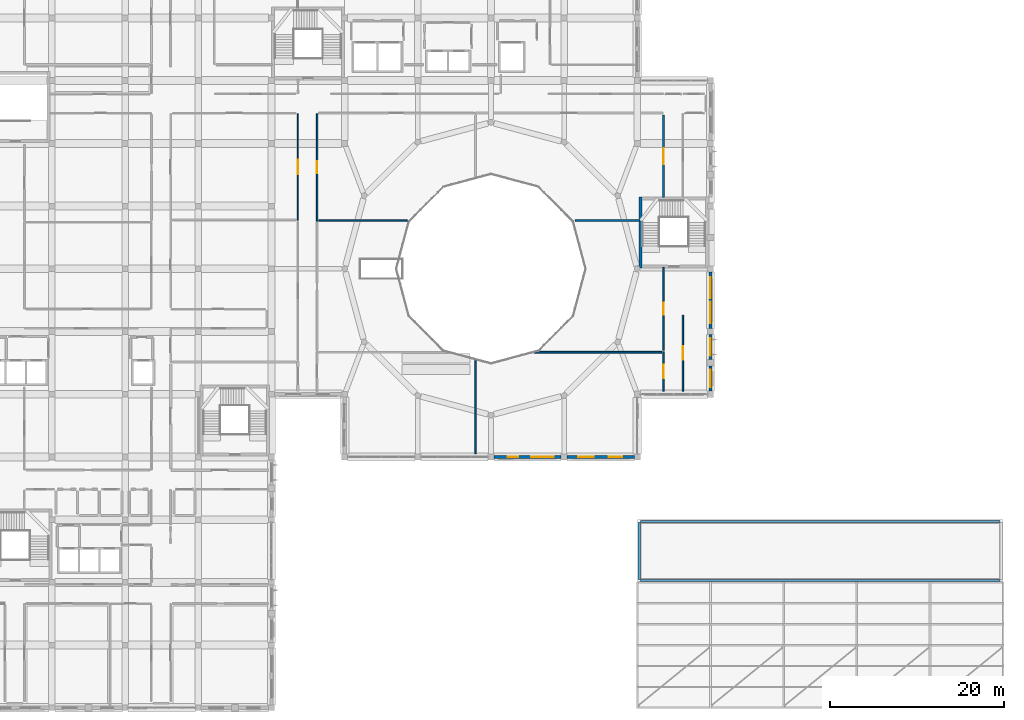
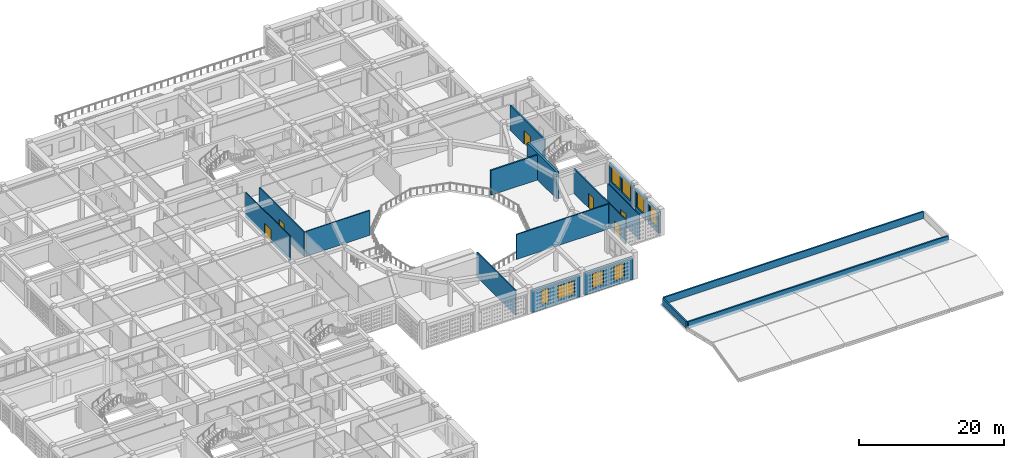
# One storey, part 45 of 79: 19 walls, 8 windows, 6 doors, 14 openings.
"""IFC4 building model written with IfcOpenShell, lengths in metres."""

from ifc_helpers import new_model, si_unit, derived_unit, direction, frame, frame_2d, origin, place, context, subcontext, project, spatial, rectangle, extrude, material, layer, layer_set, type_object, element, fill, save


model = new_model("IFC4")

# Units and contexts
model_context = context("Model", 3, precision=1e-05, world=origin(), true_north=direction((0.0, 1.0)))
body_context = subcontext(model_context, "Body", "Model", "MODEL_VIEW")
ifc_project = project(units=[si_unit("LENGTHUNIT", "METRE"), si_unit("AREAUNIT", "SQUARE_METRE"), si_unit("VOLUMEUNIT", "CUBIC_METRE"), si_unit("PLANEANGLEUNIT", "RADIAN"), si_unit("MASSUNIT", "GRAM", prefix="KILO"), derived_unit("THERMALTRANSMITTANCEUNIT", [(si_unit("POWERUNIT", "WATT"), 1), (si_unit("LENGTHUNIT", "METRE"), -2), (si_unit("THERMODYNAMICTEMPERATUREUNIT", "KELVIN"), -1)])], contexts=[model_context])

# Site, building, storey
site_placement = place(None, origin())
site = spatial("IfcSite", under=ifc_project, at=site_placement, CompositionType="ELEMENT")
building_placement = place(site_placement, origin())
building = spatial("IfcBuilding", under=site, at=building_placement, Name="Veybourne Emporium", CompositionType="ELEMENT")
storey_placement = place(building_placement, frame((0.0, 0.0, 18.89990234375)))
storey = spatial("IfcBuildingStorey", under=building, at=storey_placement, Name="L04", CompositionType="ELEMENT", Elevation=18.89990234375)

# Wall, openings, windows
ifc_material_1 = material(Name="Portland Limestone Ashlar", Category="masonry")
ifc_layer_1 = layer(ifc_material_1, 0.3798828125)
ifc_layer_set_1 = layer_set([ifc_layer_1], Name="Portland Limestone Ashlar")
wall_type_1 = type_object("IfcWallType", Name="ExtWall_EW-03", PredefinedType="SOLIDWALL", material=ifc_layer_set_1)
wall_1_placement = place(storey_placement, frame((83.64990234375, 28.800048828125, 0.0), z_axis=(0.0, 0.0, 1.0), x_axis=(-1.0, 0.0, 0.0)))
wall_1 = element("IfcWall", 1, at=wall_1_placement, inside=storey, type_object=wall_type_1, Name="L04 Portland stone external wall 038", PredefinedType="SOLIDWALL", context=body_context, shape_type="SweptSolid", body=[
    extrude(rectangle(XDim=7.699951171875, YDim=0.3798828125, at=frame_2d((3.85009765625, 0.0))), origin(), (0.0, 0.0, 1.0), 3.630126953125),
])
opening_1_placement = place(wall_1_placement, frame((0.85595703125, 0.0, 0.75)))
opening_1 = element("IfcOpeningElement", 2, at=opening_1_placement, cuts=wall_1, Name="Opening W-24", PredefinedType="OPENING", context=body_context, shape_type="SweptSolid", body=[
    extrude(rectangle(XDim=2.60009765625, YDim=2.260009765625, at=frame_2d((1.300048828125, 1.1298828125))), frame((0.0, 0.2099609375, 0.0), z_axis=(0.0, -1.0, 0.0), x_axis=(1.0, 0.0, 0.0)), (0.0, 0.0, 1.0), 0.419921875),
])
opening_2_placement = place(wall_1_placement, frame((4.944091796875, 0.0, 0.75)))
opening_2 = element("IfcOpeningElement", 3, at=opening_2_placement, cuts=wall_1, Name="Opening W-25", PredefinedType="OPENING", context=body_context, shape_type="SweptSolid", body=[
    extrude(rectangle(XDim=1.199951171875, YDim=2.43994140625, at=frame_2d((0.60009765625, 1.219970703125))), frame((0.0, 0.2099609375, 0.0), z_axis=(0.0, -1.0, 0.0), x_axis=(1.0, 0.0, 0.0)), (0.0, 0.0, 1.0), 0.419921875),
])
ifc_material_2 = material(Name="Low-E Triple Glazing", Category="glass")
window_type_1 = type_object("IfcWindowType", Name="Win_W-24", PartitioningType="TRIPLE_PANEL_VERTICAL", PredefinedType="WINDOW", material=ifc_material_2)
window_1_placement = place(opening_1_placement, origin())
window_1 = element("IfcWindow", 4, at=window_1_placement, inside=storey, type_object=window_type_1, Name="L04 tripartite bronze casement window W-24 (38.1)", OverallHeight=2.260009765625, OverallWidth=2.60009765625, PartitioningType="TRIPLE_PANEL_VERTICAL", PredefinedType="WINDOW", context=body_context, shape_type="SweptSolid", body=[
    extrude(rectangle(XDim=2.60009765625, YDim=2.260009765625, at=frame_2d((1.300048828125, 1.1298828125))), frame((0.0, 0.030029296875, 0.0), z_axis=(0.0, -1.0, 0.0), x_axis=(1.0, 0.0, 0.0)), (0.0, 0.0, 1.0), 0.06005859375),
])
fill(opening_1, window_1)
window_type_2 = type_object("IfcWindowType", Name="Win_W-25", PartitioningType="SINGLE_PANEL", PredefinedType="WINDOW", material=ifc_material_2)
window_2_placement = place(opening_2_placement, origin())
window_2 = element("IfcWindow", 5, at=window_2_placement, inside=storey, type_object=window_type_2, Name="L04 tripartite bronze casement window W-25 (38.2)", OverallHeight=2.43994140625, OverallWidth=1.199951171875, PartitioningType="SINGLE_PANEL", PredefinedType="WINDOW", context=body_context, shape_type="SweptSolid", body=[
    extrude(rectangle(XDim=1.199951171875, YDim=2.43994140625, at=frame_2d((0.60009765625, 1.219970703125))), frame((0.0, 0.030029296875, 0.0), z_axis=(0.0, -1.0, 0.0), x_axis=(1.0, 0.0, 0.0)), (0.0, 0.0, 1.0), 0.06005859375),
])
fill(opening_2, window_2)

wall_2_placement = place(storey_placement, frame((92.050048828125, 28.800048828125, 0.0), z_axis=(0.0, 0.0, 1.0), x_axis=(-1.0, 0.0, 0.0)))
wall_2 = element("IfcWall", 6, at=wall_2_placement, inside=storey, type_object=wall_type_1, Name="L04 Portland stone external wall 041", PredefinedType="SOLIDWALL", context=body_context, shape_type="SweptSolid", body=[
    extrude(rectangle(XDim=7.699951171875, YDim=0.3798828125, at=frame_2d((3.85009765625, 0.0))), origin(), (0.0, 0.0, 1.0), 3.630126953125),
])
opening_3_placement = place(wall_2_placement, frame((1.35595703125, 0.0, 0.75)))
opening_3 = element("IfcOpeningElement", 7, at=opening_3_placement, cuts=wall_2, Name="Opening W-27", PredefinedType="OPENING", context=body_context, shape_type="SweptSolid", body=[
    extrude(rectangle(XDim=1.60009765625, YDim=2.43994140625, at=frame_2d((0.800048828125, 1.219970703125))), frame((0.0, 0.2099609375, 0.0), z_axis=(0.0, -1.0, 0.0), x_axis=(1.0, 0.0, 0.0)), (0.0, 0.0, 1.0), 0.419921875),
])
opening_4_placement = place(wall_2_placement, frame((4.64404296875, 0.0, 0.75)))
opening_4 = element("IfcOpeningElement", 8, at=opening_4_placement, cuts=wall_2, Name="Opening W-28", PredefinedType="OPENING", context=body_context, shape_type="SweptSolid", body=[
    extrude(rectangle(XDim=1.800048828125, YDim=2.43994140625, at=frame_2d((0.89990234375, 1.219970703125))), frame((0.0, 0.2099609375, 0.0), z_axis=(0.0, -1.0, 0.0), x_axis=(1.0, 0.0, 0.0)), (0.0, 0.0, 1.0), 0.419921875),
])
window_type_3 = type_object("IfcWindowType", Name="Win_W-27", PartitioningType="DOUBLE_PANEL_VERTICAL", PredefinedType="WINDOW", material=ifc_material_2)
window_3_placement = place(opening_3_placement, origin())
window_3 = element("IfcWindow", 9, at=window_3_placement, inside=storey, type_object=window_type_3, Name="L04 tripartite bronze casement window W-27 (41.1)", OverallHeight=2.43994140625, OverallWidth=1.60009765625, PartitioningType="DOUBLE_PANEL_VERTICAL", PredefinedType="WINDOW", context=body_context, shape_type="SweptSolid", body=[
    extrude(rectangle(XDim=1.60009765625, YDim=2.43994140625, at=frame_2d((0.800048828125, 1.219970703125))), frame((0.0, 0.030029296875, 0.0), z_axis=(0.0, -1.0, 0.0), x_axis=(1.0, 0.0, 0.0)), (0.0, 0.0, 1.0), 0.06005859375),
])
fill(opening_3, window_3)
window_type_4 = type_object("IfcWindowType", Name="Win_W-28", PartitioningType="DOUBLE_PANEL_VERTICAL", PredefinedType="WINDOW", material=ifc_material_2)
window_4_placement = place(opening_4_placement, origin())
window_4 = element("IfcWindow", 10, at=window_4_placement, inside=storey, type_object=window_type_4, Name="L04 tripartite bronze casement window W-28 (41.2)", OverallHeight=2.43994140625, OverallWidth=1.800048828125, PartitioningType="DOUBLE_PANEL_VERTICAL", PredefinedType="WINDOW", context=body_context, shape_type="SweptSolid", body=[
    extrude(rectangle(XDim=1.800048828125, YDim=2.43994140625, at=frame_2d((0.89990234375, 1.219970703125))), frame((0.0, 0.030029296875, 0.0), z_axis=(0.0, -1.0, 0.0), x_axis=(1.0, 0.0, 0.0)), (0.0, 0.0, 1.0), 0.06005859375),
])
fill(opening_4, window_4)

# Wall, opening, window
wall_3_placement = place(storey_placement, frame((100.800048828125, 42.85009765625, 0.0), z_axis=(0.0, 0.0, 1.0), x_axis=(0.0, -1.0, 0.0)))
wall_3 = element("IfcWall", 11, at=wall_3_placement, inside=storey, type_object=wall_type_1, Name="L04 Portland stone external wall 049A", PredefinedType="SOLIDWALL", context=body_context, shape_type="SweptSolid", body=[
    extrude(rectangle(XDim=2.880126953125, YDim=0.3798828125, at=frame_2d((1.43994140625, 0.0))), origin(), (0.0, 0.0, 1.0), 3.630126953125),
])
opening_5_placement = place(wall_3_placement, frame((0.43994140625, 0.0, 0.75)))
opening_5 = element("IfcOpeningElement", 12, at=opening_5_placement, cuts=wall_3, Name="Opening W-37", PredefinedType="OPENING", context=body_context, shape_type="SweptSolid", body=[
    extrude(rectangle(XDim=2.0, YDim=2.6201171875, at=frame_2d((1.0, 1.31005859375))), frame((0.0, 0.2099609375, 0.0), z_axis=(0.0, -1.0, 0.0), x_axis=(1.0, 0.0, 0.0)), (0.0, 0.0, 1.0), 0.419921875),
])
window_type_5 = type_object("IfcWindowType", Name="Win_W-37", PartitioningType="TRIPLE_PANEL_VERTICAL", PredefinedType="WINDOW", material=ifc_material_2)
window_5_placement = place(opening_5_placement, origin())
window_5 = element("IfcWindow", 13, at=window_5_placement, inside=storey, type_object=window_type_5, Name="L04 tripartite bronze casement window W-37 (49A)", OverallHeight=2.6201171875, OverallWidth=2.0, PartitioningType="TRIPLE_PANEL_VERTICAL", PredefinedType="WINDOW", context=body_context, shape_type="SweptSolid", body=[
    extrude(rectangle(XDim=2.0, YDim=2.6201171875, at=frame_2d((1.0, 1.31005859375))), frame((0.0, 0.030029296875, 0.0), z_axis=(0.0, -1.0, 0.0), x_axis=(1.0, 0.0, 0.0)), (0.0, 0.0, 1.0), 0.06005859375),
])
fill(opening_5, window_5)

wall_4_placement = place(storey_placement, frame((100.800048828125, 39.22998046875, 0.0), z_axis=(0.0, 0.0, 1.0), x_axis=(0.0, -1.0, 0.0)))
wall_4 = element("IfcWall", 14, at=wall_4_placement, inside=storey, type_object=wall_type_1, Name="L04 Portland stone external wall 049B", PredefinedType="SOLIDWALL", context=body_context, shape_type="SweptSolid", body=[
    extrude(rectangle(XDim=2.8798828125, YDim=0.3798828125, at=frame_2d((1.43994140625, 0.0))), origin(), (0.0, 0.0, 1.0), 3.630126953125),
])
opening_6_placement = place(wall_4_placement, frame((0.425048828125, 0.0, 0.75)))
opening_6 = element("IfcOpeningElement", 15, at=opening_6_placement, cuts=wall_4, Name="Opening W-38", PredefinedType="OPENING", context=body_context, shape_type="SweptSolid", body=[
    extrude(rectangle(XDim=2.030029296875, YDim=2.6201171875, at=frame_2d((1.01513671875, 1.31005859375))), frame((0.0, 0.2099609375, 0.0), z_axis=(0.0, -1.0, 0.0), x_axis=(1.0, 0.0, 0.0)), (0.0, 0.0, 1.0), 0.419921875),
])
window_type_6 = type_object("IfcWindowType", Name="Win_W-38", PartitioningType="TRIPLE_PANEL_VERTICAL", PredefinedType="WINDOW", material=ifc_material_2)
window_6_placement = place(opening_6_placement, origin())
window_6 = element("IfcWindow", 16, at=window_6_placement, inside=storey, type_object=window_type_6, Name="L04 tripartite bronze casement window W-38 (49B)", OverallHeight=2.6201171875, OverallWidth=2.030029296875, PartitioningType="TRIPLE_PANEL_VERTICAL", PredefinedType="WINDOW", context=body_context, shape_type="SweptSolid", body=[
    extrude(rectangle(XDim=2.030029296875, YDim=2.6201171875, at=frame_2d((1.01513671875, 1.31005859375))), frame((0.0, 0.030029296875, 0.0), z_axis=(0.0, -1.0, 0.0), x_axis=(1.0, 0.0, 0.0)), (0.0, 0.0, 1.0), 0.06005859375),
])
fill(opening_6, window_6)

# Wall, openings, windows
wall_5_placement = place(storey_placement, frame((100.800048828125, 50.050048828125, 0.0), z_axis=(0.0, 0.0, 1.0), x_axis=(0.0, -1.0, 0.0)))
wall_5 = element("IfcWall", 17, at=wall_5_placement, inside=storey, type_object=wall_type_1, Name="L04 Portland stone external wall 050", PredefinedType="SOLIDWALL", context=body_context, shape_type="SweptSolid", body=[
    extrude(rectangle(XDim=6.5, YDim=0.3798828125, at=frame_2d((3.25, 0.0))), origin(), (0.0, 0.0, 1.0), 3.630126953125),
])
opening_7_placement = place(wall_5_placement, frame((0.6201171875, 0.0, 0.75)))
opening_7 = element("IfcOpeningElement", 18, at=opening_7_placement, cuts=wall_5, Name="Opening W-39", PredefinedType="OPENING", context=body_context, shape_type="SweptSolid", body=[
    extrude(rectangle(XDim=2.39990234375, YDim=2.6201171875, at=frame_2d((1.199951171875, 1.31005859375))), frame((0.0, 0.2099609375, 0.0), z_axis=(0.0, -1.0, 0.0), x_axis=(1.0, 0.0, 0.0)), (0.0, 0.0, 1.0), 0.419921875),
])
opening_8_placement = place(wall_5_placement, frame((3.445068359375, 0.0, 0.75)))
opening_8 = element("IfcOpeningElement", 19, at=opening_8_placement, cuts=wall_5, Name="Opening W-40", PredefinedType="OPENING", context=body_context, shape_type="SweptSolid", body=[
    extrude(rectangle(XDim=2.469970703125, YDim=2.6201171875, at=frame_2d((1.23486328125, 1.31005859375))), frame((0.0, 0.2099609375, 0.0), z_axis=(0.0, -1.0, 0.0), x_axis=(1.0, 0.0, 0.0)), (0.0, 0.0, 1.0), 0.419921875),
])
window_type_7 = type_object("IfcWindowType", Name="Win_W-39", PartitioningType="TRIPLE_PANEL_VERTICAL", PredefinedType="WINDOW", material=ifc_material_2)
window_7_placement = place(opening_7_placement, origin())
window_7 = element("IfcWindow", 20, at=window_7_placement, inside=storey, type_object=window_type_7, Name="L04 tripartite bronze casement window W-39 (50.1)", OverallHeight=2.6201171875, OverallWidth=2.39990234375, PartitioningType="TRIPLE_PANEL_VERTICAL", PredefinedType="WINDOW", context=body_context, shape_type="SweptSolid", body=[
    extrude(rectangle(XDim=2.39990234375, YDim=2.6201171875, at=frame_2d((1.199951171875, 1.31005859375))), frame((0.0, 0.030029296875, 0.0), z_axis=(0.0, -1.0, 0.0), x_axis=(1.0, 0.0, 0.0)), (0.0, 0.0, 1.0), 0.06005859375),
])
fill(opening_7, window_7)
window_type_8 = type_object("IfcWindowType", Name="Win_W-40", PartitioningType="TRIPLE_PANEL_VERTICAL", PredefinedType="WINDOW", material=ifc_material_2)
window_8_placement = place(opening_8_placement, origin())
window_8 = element("IfcWindow", 21, at=window_8_placement, inside=storey, type_object=window_type_8, Name="L04 tripartite bronze casement window W-40 (50.2)", OverallHeight=2.6201171875, OverallWidth=2.469970703125, PartitioningType="TRIPLE_PANEL_VERTICAL", PredefinedType="WINDOW", context=body_context, shape_type="SweptSolid", body=[
    extrude(rectangle(XDim=2.469970703125, YDim=2.6201171875, at=frame_2d((1.23486328125, 1.31005859375))), frame((0.0, 0.030029296875, 0.0), z_axis=(0.0, -1.0, 0.0), x_axis=(1.0, 0.0, 0.0)), (0.0, 0.0, 1.0), 0.06005859375),
])
fill(opening_8, window_8)

# Walls
ifc_material_3 = material(Name="Precast concrete C40/50", Category="concrete")
ifc_layer_2 = layer(ifc_material_3, 0.239990234375)
ifc_layer_set_2 = layer_set([ifc_layer_2], Name="Precast concrete C40/50")
wall_type_2 = type_object("IfcWallType", Name="ExtWall_PW-02", PredefinedType="PARAPET", material=ifc_layer_set_2)
wall_6_placement = place(storey_placement, frame((134.050048828125, 14.6201171875, 0.0), z_axis=(0.0, 0.0, 1.0), x_axis=(-1.0, 0.0, 0.0)))
element("IfcWall", 22, at=wall_6_placement, inside=storey, type_object=wall_type_2, Name="L04 roof parapet wall 002", PredefinedType="PARAPET", context=body_context, shape_type="SweptSolid", body=[
    extrude(rectangle(XDim=41.300048828125, YDim=0.239990234375, at=frame_2d((20.64990234375, 0.0))), origin(), (0.0, 0.0, 1.0), 1.150146484375),
])
wall_7_placement = place(storey_placement, frame((92.6201171875, 14.75, 0.0), z_axis=(0.0, 0.0, 1.0), x_axis=(0.0, 1.0, 0.0)))
element("IfcWall", 23, at=wall_7_placement, inside=storey, type_object=wall_type_2, Name="L04 roof parapet wall 003", PredefinedType="PARAPET", context=body_context, shape_type="SweptSolid", body=[
    extrude(rectangle(XDim=6.5, YDim=0.239990234375, at=frame_2d((3.25, 0.0))), origin(), (0.0, 0.0, 1.0), 1.150146484375),
])
wall_8_placement = place(storey_placement, frame((92.75, 21.3798828125, 0.0), z_axis=(0.0, 0.0, 1.0), x_axis=(1.0, 0.0, 0.0)))
element("IfcWall", 24, at=wall_8_placement, inside=storey, type_object=wall_type_2, Name="L04 roof parapet wall 004", PredefinedType="PARAPET", context=body_context, shape_type="SweptSolid", body=[
    extrude(rectangle(XDim=41.300048828125, YDim=0.239990234375, at=frame_2d((20.64990234375, 0.0))), origin(), (0.0, 0.0, 1.0), 1.150146484375),
])
ifc_material_4 = material(Name="Concrete C40/50", Category="concrete")
ifc_layer_3 = layer(ifc_material_4, 0.35009765625)
ifc_layer_set_3 = layer_set([ifc_layer_3], Name="Concrete C40/50")
wall_type_3 = type_object("IfcWallType", Name="IntWall_CW-02", PredefinedType="SHEAR", material=ifc_layer_set_3)
wall_9_placement = place(storey_placement, frame((92.77490234375, 58.64990234375, 0.0), z_axis=(0.0, 0.0, 1.0), x_axis=(0.0, -1.0, 0.0)))
element("IfcWall", 25, at=wall_9_placement, inside=storey, type_object=wall_type_3, Name="Core stair ST-07 west shear wall (L04)", PredefinedType="SHEAR", context=body_context, shape_type="SweptSolid", body=[
    extrude(rectangle(XDim=8.14990234375, YDim=0.35009765625, at=frame_2d((4.074951171875, 0.0))), origin(), (0.0, 0.0, 1.0), 4.5),
])

# Wall, opening, door
ifc_material_5 = material(Name="Concrete C32/40", Category="concrete")
ifc_layer_4 = layer(ifc_material_5, 0.25)
ifc_layer_set_4 = layer_set([ifc_layer_4], Name="Concrete C32/40")
wall_type_4 = type_object("IfcWallType", Name="IntWall_FW-01", PredefinedType="SOLIDWALL", material=ifc_layer_set_4)
wall_10_placement = place(storey_placement, frame((95.419921875, 58.590087890625, 0.0), z_axis=(0.0, 0.0, 1.0), x_axis=(0.0, 1.0, 0.0)))
wall_10 = element("IfcWall", 26, at=wall_10_placement, inside=storey, type_object=wall_type_4, Name="L04 interior partition FW-01 #049", PredefinedType="SOLIDWALL", context=body_context, shape_type="SweptSolid", body=[
    extrude(rectangle(XDim=9.469970703125, YDim=0.25, at=frame_2d((4.73486328125, 0.0))), origin(), (0.0, 0.0, 1.0), 4.18017578125),
])
opening_9_placement = place(wall_10_placement, frame((3.8349609375, 0.0, 0.0)))
opening_9 = element("IfcOpeningElement", 27, at=opening_9_placement, cuts=wall_10, Name="Opening FD-03", PredefinedType="OPENING", context=body_context, shape_type="SweptSolid", body=[
    extrude(rectangle(XDim=1.800048828125, YDim=2.300048828125, at=frame_2d((0.89990234375, 1.14990234375))), frame((0.0, 0.14501953125, 0.0), z_axis=(0.0, -1.0, 0.0), x_axis=(1.0, 0.0, 0.0)), (0.0, 0.0, 1.0), 0.2900390625),
])
ifc_material_6 = material(Name="Patinated Architectural Bronze", Category="bronze")
door_type_1 = type_object("IfcDoorType", Name="FireDoor_FD-03", OperationType="DOUBLE_DOOR_SINGLE_SWING", PredefinedType="DOOR", material=ifc_material_6)
door_1_placement = place(opening_9_placement, origin())
door_1 = element("IfcDoor", 28, at=door_1_placement, inside=storey, type_object=door_type_1, Name="L04 interior door FD-03 (PART-L04-049)", OperationType="DOUBLE_DOOR_SINGLE_SWING", OverallHeight=2.300048828125, OverallWidth=1.800048828125, PredefinedType="DOOR", context=body_context, shape_type="SweptSolid", body=[
    extrude(rectangle(XDim=1.800048828125, YDim=2.300048828125, at=frame_2d((0.89990234375, 1.14990234375))), frame((0.0, 0.02490234375, 0.0), z_axis=(0.0, -1.0, 0.0), x_axis=(1.0, 0.0, 0.0)), (0.0, 0.0, 1.0), 0.050048828125),
])
fill(opening_9, door_1)

# Wall
wall_11_placement = place(storey_placement, frame((85.22412109375, 55.929931640625, 0.0), z_axis=(0.0, 0.0, 1.0), x_axis=(1.0, 0.0, 0.0)))
element("IfcWall", 29, at=wall_11_placement, inside=storey, type_object=wall_type_4, Name="L04 interior partition FW-01 #124", PredefinedType="SOLIDWALL", context=body_context, shape_type="SweptSolid", body=[
    extrude(rectangle(XDim=7.435791015625, YDim=0.25, at=frame_2d((3.7177734375, 0.0))), origin(), (0.0, 0.0, 1.0), 4.18017578125),
])

# Wall, opening, door
ifc_material_7 = material(Name="Gypsum Acoustic Board", Category="gypsum")
ifc_layer_5 = layer(ifc_material_7, 0.179931640625)
ifc_layer_set_5 = layer_set([ifc_layer_5], Name="Gypsum Acoustic Board")
wall_type_5 = type_object("IfcWallType", Name="IntWall_IW-01", PredefinedType="PARTITIONING", material=ifc_layer_set_5)
wall_12_placement = place(storey_placement, frame((55.6298828125, 55.8798828125, 0.0), z_axis=(0.0, 0.0, 1.0), x_axis=(0.0, 1.0, 0.0)))
wall_12 = element("IfcWall", 30, at=wall_12_placement, inside=storey, type_object=wall_type_5, Name="L04 interior partition IW-01 #022", PredefinedType="PARTITIONING", context=body_context, shape_type="SweptSolid", body=[
    extrude(rectangle(XDim=12.340087890625, YDim=0.179931640625, at=frame_2d((6.169921875, 0.0))), origin(), (0.0, 0.0, 1.0), 4.18017578125),
])
opening_10_placement = place(wall_12_placement, frame((5.489990234375, 0.0, 0.0)))
opening_10 = element("IfcOpeningElement", 31, at=opening_10_placement, cuts=wall_12, Name="Opening D-10", PredefinedType="OPENING", context=body_context, shape_type="SweptSolid", body=[
    extrude(rectangle(XDim=1.360107421875, YDim=2.1298828125, at=frame_2d((0.68017578125, 1.06494140625))), frame((0.0, 0.10986328125, 0.0), z_axis=(0.0, -1.0, 0.0), x_axis=(1.0, 0.0, 0.0)), (0.0, 0.0, 1.0), 0.219970703125),
])
ifc_material_8 = material(Name="European Oak Veneer and Bronze", Category="wood")
door_type_2 = type_object("IfcDoorType", Name="IntDoor_D-10", OperationType="NOTDEFINED", PredefinedType="DOOR", material=ifc_material_8)
door_2_placement = place(opening_10_placement, origin())
door_2 = element("IfcDoor", 32, at=door_2_placement, inside=storey, type_object=door_type_2, Name="L04 interior door D-10 (PART-L04-022)", OperationType="SINGLE_SWING_RIGHT", OverallHeight=2.1298828125, OverallWidth=1.360107421875, PredefinedType="DOOR", context=body_context, shape_type="SweptSolid", body=[
    extrude(rectangle(XDim=1.360107421875, YDim=2.1298828125, at=frame_2d((0.68017578125, 1.06494140625))), frame((0.0, 0.02490234375, 0.0), z_axis=(0.0, -1.0, 0.0), x_axis=(1.0, 0.0, 0.0)), (0.0, 0.0, 1.0), 0.050048828125),
])
fill(opening_10, door_2)

wall_13_placement = place(storey_placement, frame((95.419921875, 41.030029296875, 0.0), z_axis=(0.0, 0.0, 1.0), x_axis=(0.0, 1.0, 0.0)))
wall_13 = element("IfcWall", 33, at=wall_13_placement, inside=storey, type_object=wall_type_5, Name="L04 interior partition IW-01 #046", PredefinedType="PARTITIONING", context=body_context, shape_type="SweptSolid", body=[
    extrude(rectangle(XDim=9.530029296875, YDim=0.179931640625, at=frame_2d((4.76513671875, 0.0))), origin(), (0.0, 0.0, 1.0), 4.18017578125),
])
opening_11_placement = place(wall_13_placement, frame((4.0849609375, 0.0, 0.0)))
opening_11 = element("IfcOpeningElement", 34, at=opening_11_placement, cuts=wall_13, Name="Opening D-34", PredefinedType="OPENING", context=body_context, shape_type="SweptSolid", body=[
    extrude(rectangle(XDim=1.360107421875, YDim=2.449951171875, at=frame_2d((0.68017578125, 1.22509765625))), frame((0.0, 0.10986328125, 0.0), z_axis=(0.0, -1.0, 0.0), x_axis=(1.0, 0.0, 0.0)), (0.0, 0.0, 1.0), 0.219970703125),
])
door_type_3 = type_object("IfcDoorType", Name="IntDoor_D-34", OperationType="NOTDEFINED", PredefinedType="DOOR", material=ifc_material_8)
door_3_placement = place(opening_11_placement, origin())
door_3 = element("IfcDoor", 35, at=door_3_placement, inside=storey, type_object=door_type_3, Name="L04 interior door D-34 (PART-L04-046)", OperationType="SINGLE_SWING_RIGHT", OverallHeight=2.449951171875, OverallWidth=1.360107421875, PredefinedType="DOOR", context=body_context, shape_type="SweptSolid", body=[
    extrude(rectangle(XDim=1.360107421875, YDim=2.449951171875, at=frame_2d((0.68017578125, 1.22509765625))), frame((0.0, 0.02490234375, 0.0), z_axis=(0.0, -1.0, 0.0), x_axis=(1.0, 0.0, 0.0)), (0.0, 0.0, 1.0), 0.050048828125),
])
fill(opening_11, door_3)

# Walls
wall_14_placement = place(storey_placement, frame((80.56396484375, 40.820068359375, 0.0), z_axis=(0.0, 0.0, 1.0), x_axis=(1.0, 0.0, 0.0)))
element("IfcWall", 36, at=wall_14_placement, inside=storey, type_object=wall_type_5, Name="L04 interior partition IW-01 #109", PredefinedType="PARTITIONING", context=body_context, shape_type="SweptSolid", body=[
    extrude(rectangle(XDim=14.64599609375, YDim=0.179931640625, at=frame_2d((7.322998046875, 0.0))), origin(), (0.0, 0.0, 1.0), 4.18017578125),
])
wall_15_placement = place(storey_placement, frame((73.804931640625, 29.169921875, 0.0), z_axis=(0.0, 0.0, 1.0), x_axis=(0.0, 1.0, 0.0)))
element("IfcWall", 37, at=wall_15_placement, inside=storey, type_object=wall_type_5, Name="L04 interior partition IW-01 #118", PredefinedType="PARTITIONING", context=body_context, shape_type="SweptSolid", body=[
    extrude(rectangle(XDim=10.64697265625, YDim=0.179931640625, at=frame_2d((5.323486328125, 0.0))), origin(), (0.0, 0.0, 1.0), 4.18017578125),
])

# Wall, opening, door
ifc_layer_6 = layer(ifc_material_7, 0.14990234375)
ifc_layer_set_6 = layer_set([ifc_layer_6], Name="Gypsum Acoustic Board")
wall_type_6 = type_object("IfcWallType", Name="IntWall_IW-02", PredefinedType="PARTITIONING", material=ifc_layer_set_6)
wall_16_placement = place(storey_placement, frame((97.6298828125, 36.3701171875, 0.0), z_axis=(0.0, 0.0, 1.0), x_axis=(0.0, 1.0, 0.0)))
wall_16 = element("IfcWall", 38, at=wall_16_placement, inside=storey, type_object=wall_type_6, Name="L04 interior partition IW-02 #053", PredefinedType="PARTITIONING", context=body_context, shape_type="SweptSolid", body=[
    extrude(rectangle(XDim=8.7099609375, YDim=0.14990234375, at=frame_2d((4.35498046875, 0.0))), origin(), (0.0, 0.0, 1.0), 4.18017578125),
])
opening_12_placement = place(wall_16_placement, frame((3.594970703125, 0.0, 0.0)))
opening_12 = element("IfcOpeningElement", 39, at=opening_12_placement, cuts=wall_16, Name="Opening D-05", PredefinedType="OPENING", context=body_context, shape_type="SweptSolid", body=[
    extrude(rectangle(XDim=1.52001953125, YDim=2.050048828125, at=frame_2d((0.760009765625, 1.02490234375))), frame((0.0, 0.094970703125, 0.0), z_axis=(0.0, -1.0, 0.0), x_axis=(1.0, 0.0, 0.0)), (0.0, 0.0, 1.0), 0.18994140625),
])
door_type_4 = type_object("IfcDoorType", Name="IntDoor_D-05", OperationType="NOTDEFINED", PredefinedType="DOOR", material=ifc_material_8)
door_4_placement = place(opening_12_placement, origin())
door_4 = element("IfcDoor", 40, at=door_4_placement, inside=storey, type_object=door_type_4, Name="L04 interior door D-05 (PART-L04-053)", OperationType="SINGLE_SWING_LEFT", OverallHeight=2.050048828125, OverallWidth=1.52001953125, PredefinedType="DOOR", context=body_context, shape_type="SweptSolid", body=[
    extrude(rectangle(XDim=1.52001953125, YDim=2.050048828125, at=frame_2d((0.760009765625, 1.02490234375))), frame((0.0, 0.02490234375, 0.0), z_axis=(0.0, -1.0, 0.0), x_axis=(1.0, 0.0, 0.0)), (0.0, 0.0, 1.0), 0.050048828125),
])
fill(opening_12, door_4)

wall_17_placement = place(storey_placement, frame((95.419921875, 36.3701171875, 0.0), z_axis=(0.0, 0.0, 1.0), x_axis=(0.0, 1.0, 0.0)))
wall_17 = element("IfcWall", 41, at=wall_17_placement, inside=storey, type_object=wall_type_6, Name="L04 interior partition IW-02 #059", PredefinedType="PARTITIONING", context=body_context, shape_type="SweptSolid", body=[
    extrude(rectangle(XDim=4.5, YDim=0.14990234375, at=frame_2d((2.25, 0.0))), origin(), (0.0, 0.0, 1.0), 4.18017578125),
])
opening_13_placement = place(wall_17_placement, frame((1.489990234375, 0.0, 0.0)))
opening_13 = element("IfcOpeningElement", 42, at=opening_13_placement, cuts=wall_17, Name="Opening D-11", PredefinedType="OPENING", context=body_context, shape_type="SweptSolid", body=[
    extrude(rectangle(XDim=1.52001953125, YDim=2.1298828125, at=frame_2d((0.760009765625, 1.06494140625))), frame((0.0, 0.094970703125, 0.0), z_axis=(0.0, -1.0, 0.0), x_axis=(1.0, 0.0, 0.0)), (0.0, 0.0, 1.0), 0.18994140625),
])
door_type_5 = type_object("IfcDoorType", Name="IntDoor_D-11", OperationType="NOTDEFINED", PredefinedType="DOOR", material=ifc_material_8)
door_5_placement = place(opening_13_placement, origin())
door_5 = element("IfcDoor", 43, at=door_5_placement, inside=storey, type_object=door_type_5, Name="L04 interior door D-11 (PART-L04-059)", OperationType="SINGLE_SWING_RIGHT", OverallHeight=2.1298828125, OverallWidth=1.52001953125, PredefinedType="DOOR", context=body_context, shape_type="SweptSolid", body=[
    extrude(rectangle(XDim=1.52001953125, YDim=2.1298828125, at=frame_2d((0.760009765625, 1.06494140625))), frame((0.0, 0.02490234375, 0.0), z_axis=(0.0, -1.0, 0.0), x_axis=(1.0, 0.0, 0.0)), (0.0, 0.0, 1.0), 0.050048828125),
])
fill(opening_13, door_5)

# Wall
wall_18_placement = place(storey_placement, frame((55.840087890625, 55.929931640625, 0.0), z_axis=(0.0, 0.0, 1.0), x_axis=(1.0, 0.0, 0.0)))
element("IfcWall", 44, at=wall_18_placement, inside=storey, type_object=wall_type_6, Name="L04 interior partition IW-02 #119", PredefinedType="PARTITIONING", context=body_context, shape_type="SweptSolid", body=[
    extrude(rectangle(XDim=10.135986328125, YDim=0.14990234375, at=frame_2d((5.06787109375, 0.0))), origin(), (0.0, 0.0, 1.0), 4.18017578125),
])

# Wall, opening, door
ifc_layer_7 = layer(ifc_material_7, 0.1201171875)
ifc_layer_set_7 = layer_set([ifc_layer_7], Name="Gypsum Acoustic Board")
wall_type_7 = type_object("IfcWallType", Name="IntWall_IW-03", PredefinedType="PARTITIONING", material=ifc_layer_set_7)
wall_19_placement = place(storey_placement, frame((53.419921875, 55.9599609375, 0.0), z_axis=(0.0, 0.0, 1.0), x_axis=(0.0, 1.0, 0.0)))
wall_19 = element("IfcWall", 45, at=wall_19_placement, inside=storey, type_object=wall_type_7, Name="L04 interior partition IW-03 #024", PredefinedType="PARTITIONING", context=body_context, shape_type="SweptSolid", body=[
    extrude(rectangle(XDim=12.260009765625, YDim=0.1201171875, at=frame_2d((6.1298828125, 0.0))), origin(), (0.0, 0.0, 1.0), 4.18017578125),
])
opening_14_placement = place(wall_19_placement, frame((5.2900390625, 0.0, 0.0)))
opening_14 = element("IfcOpeningElement", 46, at=opening_14_placement, cuts=wall_19, Name="Opening D-12", PredefinedType="OPENING", context=body_context, shape_type="SweptSolid", body=[
    extrude(rectangle(XDim=1.679931640625, YDim=2.1298828125, at=frame_2d((0.83984375, 1.06494140625))), frame((0.0, 0.080078125, 0.0), z_axis=(0.0, -1.0, 0.0), x_axis=(1.0, 0.0, 0.0)), (0.0, 0.0, 1.0), 0.16015625),
])
door_type_6 = type_object("IfcDoorType", Name="IntDoor_D-12", OperationType="DOUBLE_DOOR_SINGLE_SWING", PredefinedType="DOOR", material=ifc_material_8)
door_6_placement = place(opening_14_placement, origin())
door_6 = element("IfcDoor", 47, at=door_6_placement, inside=storey, type_object=door_type_6, Name="L04 interior door D-12 (PART-L04-024)", OperationType="DOUBLE_DOOR_SINGLE_SWING", OverallHeight=2.1298828125, OverallWidth=1.679931640625, PredefinedType="DOOR", context=body_context, shape_type="SweptSolid", body=[
    extrude(rectangle(XDim=1.679931640625, YDim=2.1298828125, at=frame_2d((0.83984375, 1.06494140625))), frame((0.0, 0.02490234375, 0.0), z_axis=(0.0, -1.0, 0.0), x_axis=(1.0, 0.0, 0.0)), (0.0, 0.0, 1.0), 0.050048828125),
])
fill(opening_14, door_6)

save(model, "model.ifc")
